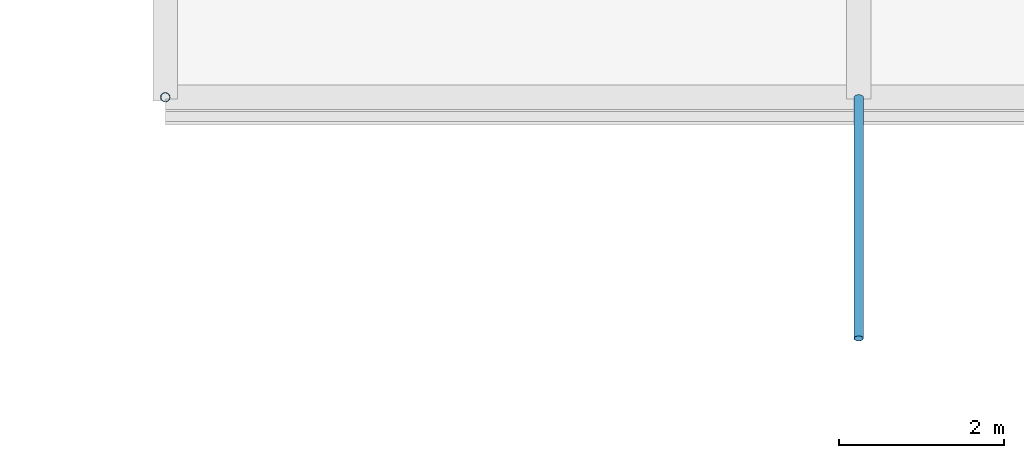
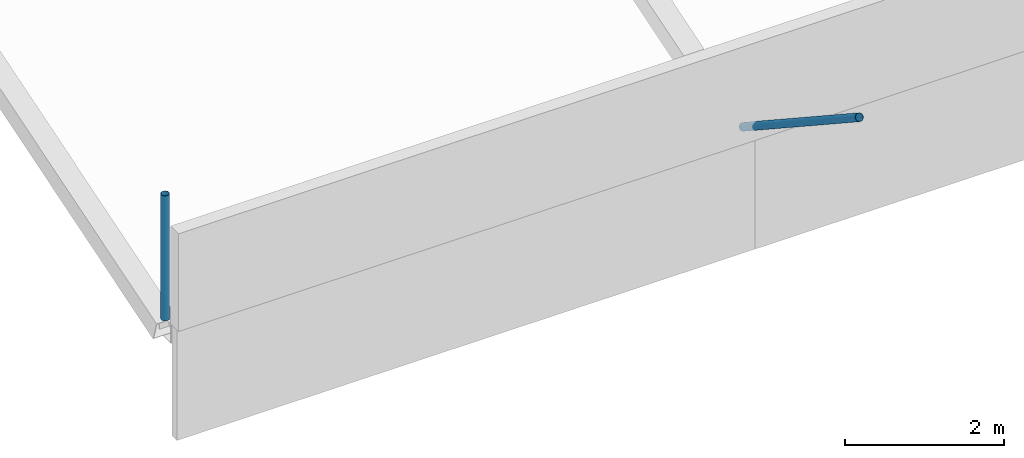
# One storey, part 45 of 85: 2 discrete accessories.
"""IFC4 building model written with IfcOpenShell, lengths in metres."""

from ifc_helpers import new_model, si_unit, direction, frame, origin, origin_2d, place, context, subcontext, project, spatial, hollow_circle, extrude, material, material_profile, profile_set, type_object, element, save


model = new_model("IFC4")

# Units and contexts
model_context = context("Model", 3, precision=1e-05, world=origin(), true_north=direction((0.0, 1.0)))
body_context = subcontext(model_context, "Body", "Model", "MODEL_VIEW")
ifc_project = project(units=[si_unit("LENGTHUNIT", "METRE"), si_unit("AREAUNIT", "SQUARE_METRE"), si_unit("VOLUMEUNIT", "CUBIC_METRE"), si_unit("PLANEANGLEUNIT", "RADIAN"), si_unit("MASSUNIT", "GRAM", prefix="KILO")], contexts=[model_context])

# Site, building, storey
site_placement = place(None, origin())
site = spatial("IfcSite", under=ifc_project, at=site_placement, CompositionType="ELEMENT")
building_placement = place(site_placement, origin())
building = spatial("IfcBuilding", under=site, at=building_placement, Name="Rain Tree Exposition and Congress Centre", CompositionType="ELEMENT")
storey_placement = place(building_placement, frame((0.0, 0.0, 15.0)))
storey = spatial("IfcBuildingStorey", under=building, at=storey_placement, Name="L03", CompositionType="ELEMENT", Elevation=15.0)

# Discrete accessories
ifc_material = material(Name="Steel S355J2H", Category="steel")
ifc_material_profile = material_profile(ifc_material, hollow_circle(Radius=0.05712890625, WallThickness=0.00439453125, at=origin_2d()), Name="CHS 114x4.5")
ifc_profile_set = profile_set([ifc_material_profile], Name="Steel S355J2H")
discrete_accessory_type = type_object("IfcDiscreteAccessoryType", Name="Roof skin post CHS 114x4.5", PredefinedType="BRACKET", material=ifc_profile_set)
discrete_accessory_1_placement = place(storey_placement, frame((8.39990234375, 100.800048828125, 3.0), z_axis=(0.0, 0.0, 1.0), x_axis=(1.0, 0.0, 0.0)))
element("IfcDiscreteAccessory", 1, at=discrete_accessory_1_placement, inside=storey, type_object=discrete_accessory_type, Name="Roof skin post A1", PredefinedType="BRACKET", context=body_context, shape_type="SweptSolid", body=[
    extrude(hollow_circle(Radius=0.05712890625, WallThickness=0.00439453125, at=origin_2d()), origin(), (0.0, 0.0, 1.0), 1.919921875),
])
discrete_accessory_2_placement = place(storey_placement, frame((16.800048828125, 100.800048828125, 3.0), z_axis=(0.0, -0.835769563777, 0.549080355016), x_axis=(1.0, 0.0, 0.0)))
element("IfcDiscreteAccessory", 2, at=discrete_accessory_2_placement, inside=storey, type_object=discrete_accessory_type, Name="Roof skin post A2", PredefinedType="BRACKET", context=body_context, shape_type="SweptSolid", body=[
    extrude(hollow_circle(Radius=0.05712890625, WallThickness=0.00439453125, at=origin_2d()), origin(), (0.0, 0.0, 1.0), 3.49658203125),
])

save(model, "model.ifc")
